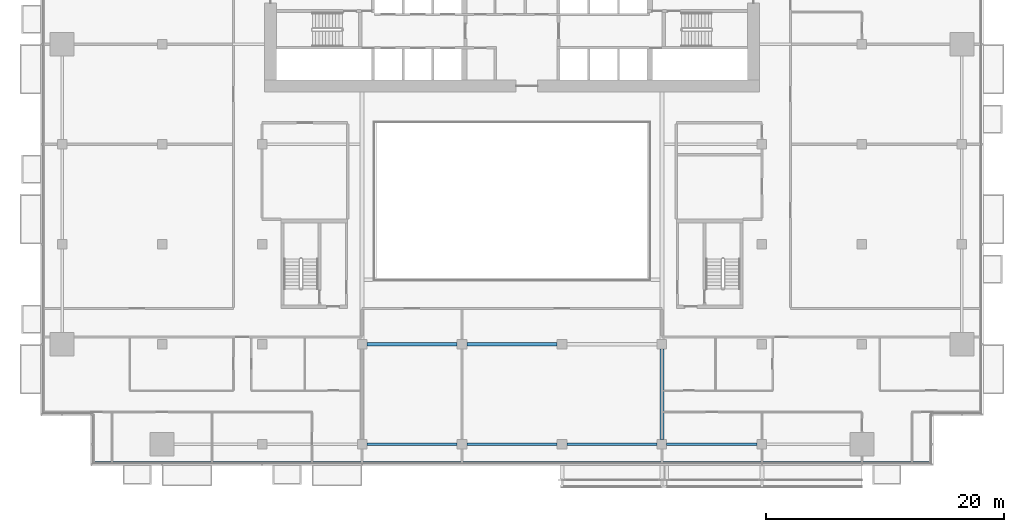
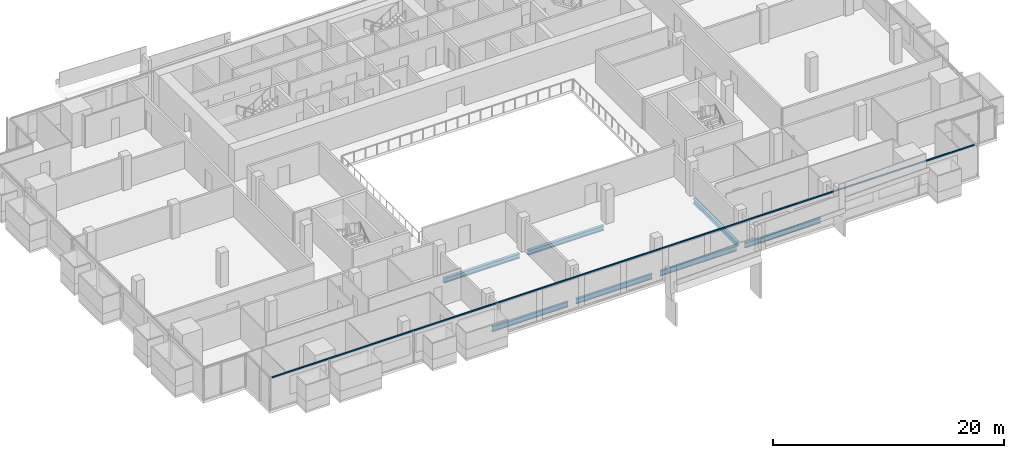
# One storey, part 5 of 26: 7 beams, 1 member, 1 element without a shape of its own.
"""IFC4 building model written with IfcOpenShell, lengths in metres."""

from ifc_helpers import new_model, si_unit, direction, frame, origin, origin_2d, place, context, subcontext, project, spatial, rectangle, i_section, extrude, material, material_profile, profile_set, type_object, element, aggregate, save


model = new_model("IFC4")

# Units and contexts
model_context = context("Model", 3, precision=1e-05, world=origin(), true_north=direction((0.0, 1.0)))
body_context = subcontext(model_context, "Body", "Model", "MODEL_VIEW")
ifc_project = project(units=[si_unit("LENGTHUNIT", "METRE"), si_unit("AREAUNIT", "SQUARE_METRE"), si_unit("VOLUMEUNIT", "CUBIC_METRE"), si_unit("PLANEANGLEUNIT", "RADIAN"), si_unit("MASSUNIT", "GRAM", prefix="KILO")], contexts=[model_context])

# Site, building, storey
site_placement = place(None, origin())
site = spatial("IfcSite", under=ifc_project, at=site_placement, CompositionType="ELEMENT")
building_placement = place(site_placement, origin())
building = spatial("IfcBuilding", under=site, at=building_placement, Name="Saffron Gate Tower", CompositionType="ELEMENT")
storey_placement = place(building_placement, frame((0.0, 0.0, 102.449951171875)))
storey = spatial("IfcBuildingStorey", under=building, at=storey_placement, Name="L23", CompositionType="ELEMENT", Elevation=102.449951171875)

# Beams
ifc_material_1 = material(Name="Structural steel S355", Category="steel")
ifc_material_profile_1 = material_profile(ifc_material_1, i_section(OverallWidth=0.2099609375, OverallDepth=0.550048828125, WebThickness=0.010986328125, FlangeThickness=0.01708984375, FilletRadius=0.02392578125, at=origin_2d()))
ifc_profile_set_1 = profile_set([ifc_material_profile_1], Name="Structural steel S355")
beam_type_1 = type_object("IfcBeamType", Name="B13 IPE 550", PredefinedType="SPANDREL", material=ifc_profile_set_1)
beam_1_placement = place(storey_placement, frame((75.39990234375, 31.800048828125, -0.554931640625), z_axis=(1.0, 0.0, 0.0), x_axis=(0.0, 1.0, 0.0)))
element("IfcBeam", 1, at=beam_1_placement, inside=storey, type_object=beam_type_1, Name="B13 SPANDREL BEAM", PredefinedType="SPANDREL", context=body_context, shape_type="SweptSolid", body=[
    extrude(i_section(OverallWidth=0.2099609375, OverallDepth=0.550048828125, WebThickness=0.010986328125, FlangeThickness=0.01708984375, FilletRadius=0.02392578125, at=origin_2d()), origin(), (0.0, 0.0, 1.0), 7.60009765625),
])
beam_2_placement = place(storey_placement, frame((83.800048828125, 31.800048828125, -0.554931640625), z_axis=(1.0, 0.0, 0.0), x_axis=(0.0, 1.0, 0.0)))
element("IfcBeam", 2, at=beam_2_placement, inside=storey, type_object=beam_type_1, Name="B13 SPANDREL BEAM", PredefinedType="SPANDREL", context=body_context, shape_type="SweptSolid", body=[
    extrude(i_section(OverallWidth=0.2099609375, OverallDepth=0.550048828125, WebThickness=0.010986328125, FlangeThickness=0.01708984375, FilletRadius=0.02392578125, at=origin_2d()), origin(), (0.0, 0.0, 1.0), 7.599853515625),
])
beam_3_placement = place(storey_placement, frame((92.199951171875, 31.800048828125, -0.554931640625), z_axis=(1.0, 0.0, 0.0), x_axis=(0.0, 1.0, 0.0)))
element("IfcBeam", 3, at=beam_3_placement, inside=storey, type_object=beam_type_1, Name="B13 SPANDREL BEAM", PredefinedType="SPANDREL", context=body_context, shape_type="SweptSolid", body=[
    extrude(i_section(OverallWidth=0.2099609375, OverallDepth=0.550048828125, WebThickness=0.010986328125, FlangeThickness=0.01708984375, FilletRadius=0.02392578125, at=origin_2d()), origin(), (0.0, 0.0, 1.0), 7.60009765625),
])
beam_4_placement = place(storey_placement, frame((100.60009765625, 31.800048828125, -0.554931640625), z_axis=(1.0, 0.0, 0.0), x_axis=(0.0, 1.0, 0.0)))
element("IfcBeam", 4, at=beam_4_placement, inside=storey, type_object=beam_type_1, Name="B13 SPANDREL BEAM", PredefinedType="SPANDREL", context=body_context, shape_type="SweptSolid", body=[
    extrude(i_section(OverallWidth=0.2099609375, OverallDepth=0.550048828125, WebThickness=0.010986328125, FlangeThickness=0.01708984375, FilletRadius=0.02392578125, at=origin_2d()), origin(), (0.0, 0.0, 1.0), 7.599853515625),
])
ifc_material_profile_2 = material_profile(ifc_material_1, i_section(OverallWidth=0.300048828125, OverallDepth=0.489990234375, WebThickness=0.011962890625, FlangeThickness=0.02294921875, FilletRadius=0.027099609375, at=origin_2d()))
ifc_profile_set_2 = profile_set([ifc_material_profile_2], Name="Structural steel S355")
beam_type_2 = type_object("IfcBeamType", Name="B8 HEA 500", PredefinedType="BEAM", material=ifc_profile_set_2)
for number, where, z_axis, x_axis, name in (
    (5, (100.199951171875, 32.199951171875, -0.52490234375), (0.0, 1.0, 0.0), (-1.0, 0.0, 0.0), "B8 FLOOR GIRDER"),
    (6, (75.39990234375, 40.199951171875, -0.52490234375), (1.0, 0.0, 0.0), (0.0, 1.0, 0.0), "B8 FLOOR GIRDER"),
):
    element("IfcBeam", number, at=place(storey_placement, frame(where, z_axis=z_axis, x_axis=x_axis)), inside=storey, type_object=beam_type_2, Name=name, PredefinedType="BEAM", context=body_context, shape_type="SweptSolid", body=[
        extrude(i_section(OverallWidth=0.300048828125, OverallDepth=0.489990234375, WebThickness=0.011962890625, FlangeThickness=0.02294921875, FilletRadius=0.027099609375, at=origin_2d()), origin(), (0.0, 0.0, 1.0), 7.60009765625),
    ])
beam_5_placement = place(storey_placement, frame((83.800048828125, 40.199951171875, -0.52490234375), z_axis=(1.0, 0.0, 0.0), x_axis=(0.0, 1.0, 0.0)))
element("IfcBeam", 7, at=beam_5_placement, inside=storey, type_object=beam_type_2, Name="B8 FLOOR GIRDER", PredefinedType="BEAM", context=body_context, shape_type="SweptSolid", body=[
    extrude(i_section(OverallWidth=0.300048828125, OverallDepth=0.489990234375, WebThickness=0.011962890625, FlangeThickness=0.02294921875, FilletRadius=0.027099609375, at=origin_2d()), origin(), (0.0, 0.0, 1.0), 7.599853515625),
])

# Curtain wall, member
ifc_material_2 = material(Name="Aluminium, bronze anodised", Category="aluminium")
curtain_wall_type = type_object("IfcCurtainWallType", Name="CWS1 curtain wall front facade", PredefinedType="NOTDEFINED", material=ifc_material_2)
curtain_wall_placement = place(storey_placement, origin())
curtain_wall = element("IfcCurtainWall", 8, at=curtain_wall_placement, inside=storey, type_object=curtain_wall_type, Name="CWS1 run 1", PredefinedType="NOTDEFINED")
ifc_material_profile_3 = material_profile(ifc_material_2, rectangle(XDim=0.1201171875, YDim=0.1201171875, at=origin_2d()))
ifc_profile_set_3 = profile_set([ifc_material_profile_3], Name="Aluminium, bronze anodised")
member_type = type_object("IfcMemberType", Name="CWS1 head transom", PredefinedType="USERDEFINED", material=ifc_profile_set_3)
member_placement = place(storey_placement, frame((52.568115234375, 30.248046875, 3.260009765625), z_axis=(1.0, 0.0, 0.0), x_axis=(0.0, 1.0, 0.0)))
member = element("IfcMember", 9, at=member_placement, type_object=member_type, Name="CWS1 head transom", ObjectType="TRANSOM", PredefinedType="USERDEFINED", context=body_context, shape_type="SweptSolid", body=[
    extrude(rectangle(XDim=0.1201171875, YDim=0.1201171875, at=origin_2d()), origin(), (0.0, 0.0, 1.0), 70.06396484375),
])
aggregate(curtain_wall, [member])

save(model, "model.ifc")
